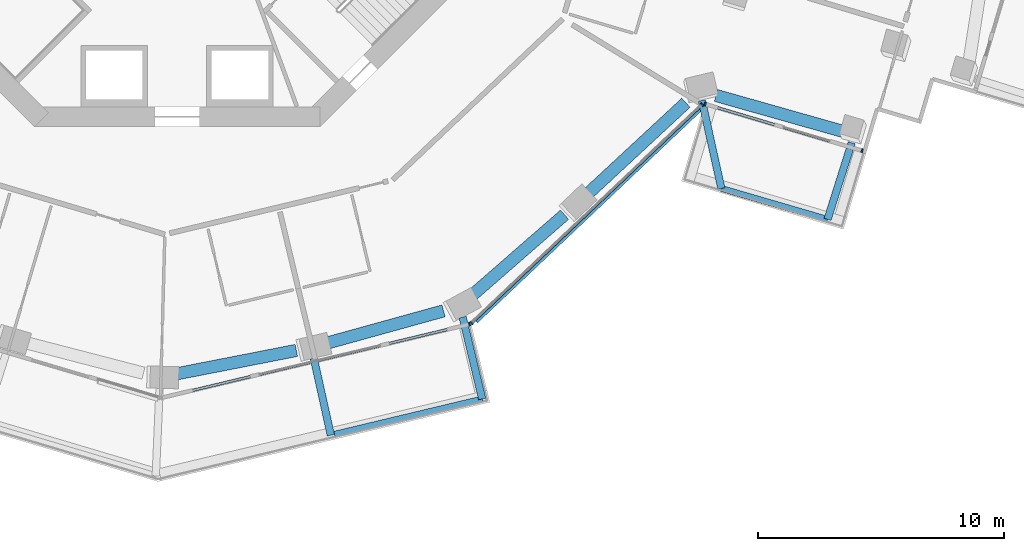
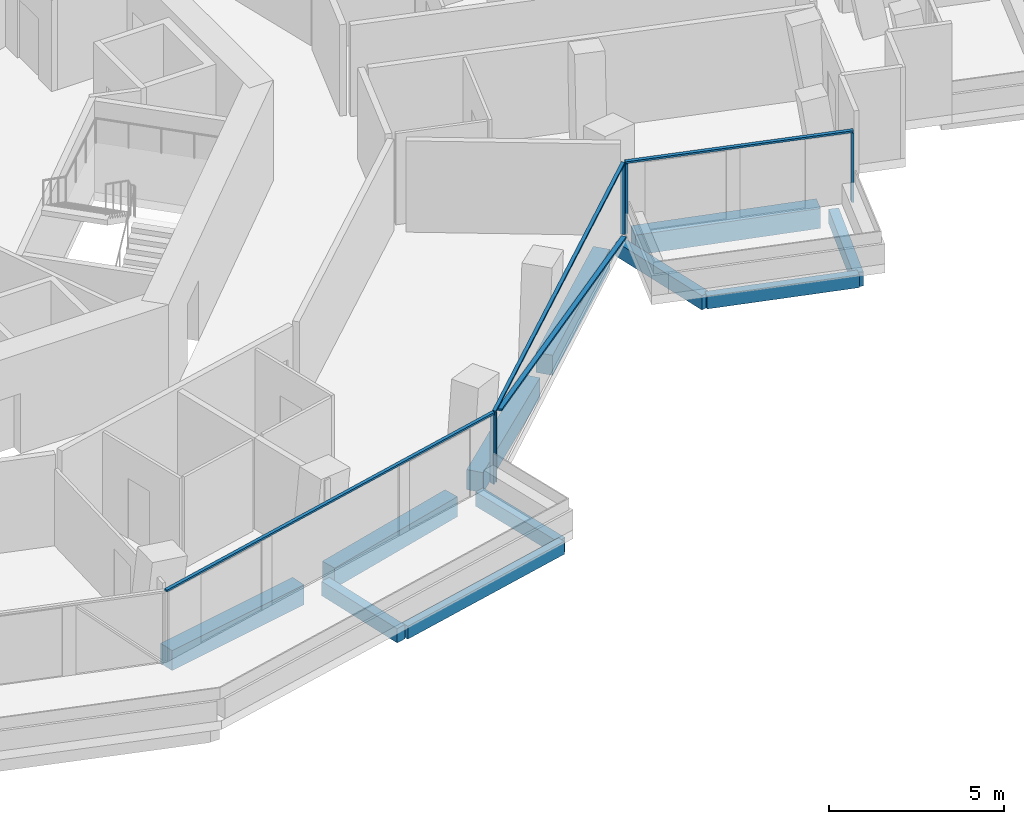
# One storey, part 5 of 27: 11 beams, 9 members, 3 elements without a shape of their own.
"""IFC4 building model written with IfcOpenShell, lengths in metres."""

import ifcopenshell
import ifcopenshell.guid

model = None  # the IFC model being written
_history = None  # IfcOwnerHistory: only IFC2X3 demands one
_inside = {}  # id of a spatial element -> (the spatial element, [elements in it])
_under = {}  # id of a project, library or spatial element -> (it, [spatial elements below it])
_declared = {}  # id of a project -> (the project, [libraries it declares])
_typed = {}  # id of a type object -> (the type object, [elements of that type])
_made_of = {}  # id of a material, layer set ... -> (it, [elements and type objects made of it])


def new_model(schema):
    """Start an empty IFC model of exactly this schema.

    Asked for "IFC4X3", IfcOpenShell would pick the latest addendum, in which some entities
    have other attributes; the version numbers below select the first issue.
    IFC2X3 requires an IfcOwnerHistory on every rooted entity: one is made here for all.
    """
    global model, _history
    if schema == "IFC4X3":
        model = ifcopenshell.file(schema_version=(4, 3, 0, 0))
    else:
        model = ifcopenshell.file(schema=schema)
    _inside.clear()
    _under.clear()
    _declared.clear()
    _typed.clear()
    _made_of.clear()
    _history = None
    if model.schema == "IFC2X3":
        org = make("IfcOrganization", Name="unknown")
        user = make(
            "IfcPersonAndOrganization",
            ThePerson=make("IfcPerson", FamilyName="unknown"),
            TheOrganization=org,
        )
        app = make(
            "IfcApplication",
            ApplicationDeveloper=org,
            Version="unknown",
            ApplicationFullName="unknown",
            ApplicationIdentifier="unknown",
        )
        _history = make(
            "IfcOwnerHistory",
            OwningUser=user,
            OwningApplication=app,
            ChangeAction="ADDED",
            CreationDate=0,
        )
    return model


def make(cls, **values):
    """One entity of the class cls with the attributes given. An attribute that is None is left unset."""
    return model.create_entity(
        cls, **{name: value for name, value in values.items() if value is not None}
    )


def rooted(cls, **values):
    """An entity with a GlobalId (a new one), such as an element, a storey or a relation."""
    return make(cls, GlobalId=ifcopenshell.guid.new(), OwnerHistory=_history, **values)


def si_unit(unit_type, name, prefix=None):
    """IfcSIUnit, for example si_unit("LENGTHUNIT", "METRE", prefix="MILLI")."""
    return make("IfcSIUnit", UnitType=unit_type, Prefix=prefix, Name=name)


def assignment(units):
    """IfcUnitAssignment: the units of a project."""
    return None if units is None else make("IfcUnitAssignment", Units=units)


def point(xyz):
    """IfcCartesianPoint."""
    return None if xyz is None else make("IfcCartesianPoint", Coordinates=xyz)


def direction(xyz):
    """IfcDirection."""
    return None if xyz is None else make("IfcDirection", DirectionRatios=xyz)


def frame(location, z_axis=None, x_axis=None):
    """IfcAxis2Placement3D, a coordinate frame: its origin and axes. An axis left out is left unset."""
    return make(
        "IfcAxis2Placement3D",
        Location=point(location),
        Axis=direction(z_axis),
        RefDirection=direction(x_axis),
    )


def frame_2d(location, x_axis=None):
    """IfcAxis2Placement2D, a coordinate frame in the plane: its origin and x axis."""
    return make(
        "IfcAxis2Placement2D", Location=point(location), RefDirection=direction(x_axis)
    )


def origin():
    """The frame at (0, 0, 0) with its axes left unset."""
    return frame((0.0, 0.0, 0.0))


def origin_2d():
    """The frame at (0, 0) in the plane with its x axis left unset."""
    return frame_2d((0.0, 0.0))


def place(relative_to, where):
    """IfcLocalPlacement: puts the frame where relative to a parent placement (None: the world)."""
    return make(
        "IfcLocalPlacement", PlacementRelTo=relative_to, RelativePlacement=where
    )


def context(
    kind, dimensions, precision=None, world=None, true_north=None, identifier=None
):
    """IfcGeometricRepresentationContext, for example the 3D "Model" context."""
    return make(
        "IfcGeometricRepresentationContext",
        ContextIdentifier=identifier,
        ContextType=kind,
        CoordinateSpaceDimension=dimensions,
        Precision=precision,
        WorldCoordinateSystem=world,
        TrueNorth=true_north,
    )


def subcontext(parent, identifier, kind, view, scale=None):
    """IfcGeometricRepresentationSubContext, for example "Body" below "Model"."""
    return make(
        "IfcGeometricRepresentationSubContext",
        ContextIdentifier=identifier,
        ContextType=kind,
        ParentContext=parent,
        TargetScale=scale,
        TargetView=view,
    )


def project(units=None, contexts=None):
    """IfcProject with its units and contexts."""
    return rooted(
        "IfcProject",
        Name="project",
        RepresentationContexts=contexts,
        UnitsInContext=assignment(units),
    )


def spatial(cls, under=None, at=None, **own):
    """A site, building, storey or space (cls), placed at a placement, below another one or the project."""
    s = rooted(cls, ObjectPlacement=at, **own)
    if under is not None:
        _under.setdefault(under.id(), (under, []))[1].append(s)
    return s


def profile(cls, at=None, kind="AREA", **sizes):
    """A parametric profile (cls). Its sizes go by their IFC names, for example OverallWidth=200.0."""
    return make(cls, ProfileType=kind, Position=at, **sizes)


def rectangle(**sizes):
    """IfcRectangleProfileDef."""
    return profile("IfcRectangleProfileDef", **sizes)


def extrude(swept, where, along, depth):
    """IfcExtrudedAreaSolid: the profile swept, set in the frame where, extruded along a direction by depth."""
    return make(
        "IfcExtrudedAreaSolid",
        SweptArea=swept,
        Position=where,
        ExtrudedDirection=direction(along),
        Depth=depth,
    )


def shape(context_of_items, identifier, shape_type, items):
    """IfcShapeRepresentation: the items that make up one representation, for example the "Body"."""
    return make(
        "IfcShapeRepresentation",
        ContextOfItems=context_of_items,
        RepresentationIdentifier=identifier,
        RepresentationType=shape_type,
        Items=items,
    )


def material(Name=None, Category=None):
    """IfcMaterial."""
    return make("IfcMaterial", Name=Name, Category=Category)


def layer(
    of_material, thickness, ventilated=None, Name=None, Category=None, Priority=None
):
    """IfcMaterialLayer: one layer of a wall or slab, of a material (None: an air gap)."""
    return make(
        "IfcMaterialLayer",
        Material=of_material,
        LayerThickness=thickness,
        IsVentilated=ventilated,
        Name=Name,
        Category=Category,
        Priority=Priority,
    )


def layer_set(layers, Name=None):
    """IfcMaterialLayerSet."""
    return make("IfcMaterialLayerSet", MaterialLayers=layers, LayerSetName=Name)


def material_profile(
    of_material, cross_section, Name=None, Category=None, Priority=None
):
    """IfcMaterialProfile: a cross section and its material."""
    return make(
        "IfcMaterialProfile",
        Name=Name,
        Material=of_material,
        Profile=cross_section,
        Priority=Priority,
        Category=Category,
    )


def profile_set(profiles, Name=None, composite=None):
    """IfcMaterialProfileSet."""
    return make(
        "IfcMaterialProfileSet",
        Name=Name,
        MaterialProfiles=profiles,
        CompositeProfile=composite,
    )


def made_of(thing, what):
    """Note that an element or type object is made of a material, layer set ...; save() writes the relation."""
    if what is not None:
        _made_of.setdefault(what.id(), (what, []))[1].append(thing)
    return thing


def type_object(cls, material=None, **own):
    """A type object (cls), such as IfcWallType, which elements share."""
    return made_of(rooted(cls, **own), material)


def element(
    cls,
    number,
    at=None,
    inside=None,
    cuts=None,
    type_object=None,
    material=None,
    context=None,
    identifier="Body",
    shape_type=None,
    held_by="IfcProductDefinitionShape",
    body=None,
    shapes=None,
    **own,
):
    """One element of the class cls, such as IfcWall. Its Tag is "e" and its number.

    at: its placement. inside: the storey or other place that contains it. cuts: it is an
    opening in that element (IfcRelVoidsElement). A single representation is given by context,
    identifier, shape_type and body (its items); several are given by shapes. held_by: the class
    of the entity that holds the representations. save() writes the other relations.
    """
    e = rooted(cls, Tag="e%d" % number, ObjectPlacement=at, **own)
    if body is not None:
        shapes = [shape(context, identifier, shape_type, body)]
    if shapes is not None:
        e.Representation = make(held_by, Representations=shapes)
    if inside is not None:
        _inside.setdefault(inside.id(), (inside, []))[1].append(e)
    if cuts is not None:
        rooted(
            "IfcRelVoidsElement", RelatingBuildingElement=cuts, RelatedOpeningElement=e
        )
    if type_object is not None:
        _typed.setdefault(type_object.id(), (type_object, []))[1].append(e)
    return made_of(e, material)


def aggregate(whole, parts):
    """IfcRelAggregates: a whole, such as a stair, and the parts it consists of."""
    return rooted("IfcRelAggregates", RelatingObject=whole, RelatedObjects=parts)


def save(model, path):
    """Write the relations noted so far, then the file.

    IfcRelAggregates (storeys below a building ...), IfcRelContainedInSpatialStructure (elements
    in a storey), IfcRelDefinesByType, IfcRelAssociatesMaterial and IfcRelDeclares: one each for
    every whole, place, type object, material and project.
    """
    for whole, parts in _under.values():
        aggregate(whole, parts)
    for where, things in _inside.values():
        rooted(
            "IfcRelContainedInSpatialStructure",
            RelatedElements=things,
            RelatingStructure=where,
        )
    for kind, things in _typed.values():
        rooted("IfcRelDefinesByType", RelatedObjects=things, RelatingType=kind)
    for what, things in _made_of.values():
        rooted("IfcRelAssociatesMaterial", RelatedObjects=things, RelatingMaterial=what)
    for by, libraries in _declared.values():
        rooted("IfcRelDeclares", RelatingContext=by, RelatedDefinitions=libraries)
    model.write(path)


model = new_model("IFC4")

# Units and contexts
model_context = context("Model", 3, precision=1e-05, world=origin(), true_north=direction((0.0, 1.0)))
body_context = subcontext(model_context, "Body", "Model", "MODEL_VIEW")
ifc_project = project(units=[si_unit("LENGTHUNIT", "METRE"), si_unit("AREAUNIT", "SQUARE_METRE"), si_unit("VOLUMEUNIT", "CUBIC_METRE"), si_unit("PLANEANGLEUNIT", "RADIAN"), si_unit("MASSUNIT", "GRAM", prefix="KILO")], contexts=[model_context])

# Site, building, storey
site_placement = place(None, origin())
site = spatial("IfcSite", under=ifc_project, at=site_placement, CompositionType="ELEMENT")
building_placement = place(site_placement, origin())
building = spatial("IfcBuilding", under=site, at=building_placement, Name="Verdalira Terraces Hotel", CompositionType="ELEMENT")
storey_placement = place(building_placement, frame((0.0, 0.0, 89.5)))
storey = spatial("IfcBuildingStorey", under=building, at=storey_placement, Name="L20", CompositionType="ELEMENT", Elevation=89.5)

# Beams
ifc_material_1 = material(Name="Concrete C40", Category="concrete")
ifc_material_profile_1 = material_profile(ifc_material_1, rectangle(XDim=0.300049, YDim=0.5, at=origin_2d()), Name="RC 300X500")
ifc_profile_set_1 = profile_set([ifc_material_profile_1], Name="Concrete C40")
beam_type_1 = type_object("IfcBeamType", Name="Balcony cantilever beam RC 300X500 C40", PredefinedType="BEAM", material=ifc_profile_set_1)
beam_1_placement = place(storey_placement, frame((5.550293, -23.408936, -0.560059), z_axis=(0.216082396, -0.976375132, 0.0), x_axis=(0.976375132, 0.216082396, 0.0)))
element("IfcBeam", 1, at=beam_1_placement, inside=storey, type_object=beam_type_1, Name="Balcony cantilever beam R25-1", PredefinedType="BEAM", context=body_context, shape_type="SweptSolid", body=[
    extrude(rectangle(XDim=0.300049, YDim=0.5, at=origin_2d()), origin(), (0.0, 0.0, 1.0), 3.200928),
])
beam_2_placement = place(storey_placement, frame((11.597656, -21.740967, -0.560059), z_axis=(0.232402795, -0.972619628, 0.0), x_axis=(0.972619628, 0.232402795, 0.0)))
element("IfcBeam", 2, at=beam_2_placement, inside=storey, type_object=beam_type_1, Name="Balcony cantilever beam R25-2", PredefinedType="BEAM", context=body_context, shape_type="SweptSolid", body=[
    extrude(rectangle(XDim=0.300049, YDim=0.5, at=origin_2d()), origin(), (0.0, 0.0, 1.0), 3.417236),
])
beam_3_placement = place(storey_placement, frame((21.316895, -12.941406, -0.560059), z_axis=(0.216096037, -0.976372113, 0.0), x_axis=(0.976372113, 0.216096037, 0.0)))
element("IfcBeam", 3, at=beam_3_placement, inside=storey, type_object=beam_type_1, Name="Balcony cantilever beam R28-1", PredefinedType="BEAM", context=body_context, shape_type="SweptSolid", body=[
    extrude(rectangle(XDim=0.300049, YDim=0.5, at=origin_2d()), origin(), (0.0, 0.0, 1.0), 3.656006),
])
beam_4_placement = place(storey_placement, frame((27.403809, -14.654297, -0.560059), z_axis=(-0.301066947, -0.953603006, 0.0), x_axis=(0.953603006, -0.301066947, 0.0)))
element("IfcBeam", 4, at=beam_4_placement, inside=storey, type_object=beam_type_1, Name="Balcony cantilever beam R28-2", PredefinedType="BEAM", context=body_context, shape_type="SweptSolid", body=[
    extrude(rectangle(XDim=0.300049, YDim=0.5, at=origin_2d()), origin(), (0.0, 0.0, 1.0), 3.264648),
])
ifc_material_2 = material(Name="Concrete C40", Category="concrete")
ifc_material_profile_2 = material_profile(ifc_material_2, rectangle(XDim=0.25, YDim=0.449951, at=origin_2d()), Name="RC 250X450")
ifc_profile_set_2 = profile_set([ifc_material_profile_2], Name="Concrete C40")
beam_type_2 = type_object("IfcBeamType", Name="Balcony edge beam RC 250X450 C40", PredefinedType="BEAM", material=ifc_profile_set_2)
beam_5_placement = place(storey_placement, frame((6.387939, -26.499268, -0.534912), z_axis=(0.972620884, 0.23239754, 0.0), x_axis=(-0.23239754, 0.972620884, 0.0)))
element("IfcBeam", 5, at=beam_5_placement, inside=storey, type_object=beam_type_2, Name="Balcony edge beam R25-1", PredefinedType="BEAM", context=body_context, shape_type="SweptSolid", body=[
    extrude(rectangle(XDim=0.25, YDim=0.449951, at=origin_2d()), origin(), (0.0, 0.0, 1.0), 6.172852),
])
beam_6_placement = place(storey_placement, frame((22.106934, -16.510986, -0.534912), z_axis=(0.960098526, -0.279661976, 0.0), x_axis=(0.279661976, 0.960098526, 0.0)))
element("IfcBeam", 6, at=beam_6_placement, inside=storey, type_object=beam_type_2, Name="Balcony edge beam R28-1", PredefinedType="BEAM", context=body_context, shape_type="SweptSolid", body=[
    extrude(rectangle(XDim=0.25, YDim=0.449951, at=origin_2d()), origin(), (0.0, 0.0, 1.0), 4.493164),
])

# Curtain wall, member
ifc_material_3 = material(Name="Clear glass", Category="glass")
ifc_layer_1 = layer(ifc_material_3, 0.14990234375)
ifc_layer_set_1 = layer_set([ifc_layer_1], Name="CW1 curtain wall")
curtain_wall_type_1 = type_object("IfcCurtainWallType", Name="CW1 curtain wall", PredefinedType="NOTDEFINED", material=ifc_layer_set_1)
curtain_wall_1_placement = place(storey_placement, origin())
curtain_wall_1 = element("IfcCurtainWall", 7, at=curtain_wall_1_placement, inside=storey, type_object=curtain_wall_type_1, Name="CW1 curtain wall L20 edge 26", PredefinedType="NOTDEFINED")
ifc_material_4 = material(Name="Terracotta frame", Category="masonry")
ifc_material_profile_3 = material_profile(ifc_material_4, rectangle(XDim=0.060059, YDim=0.149902, at=origin_2d()), Name="MU 60x150")
ifc_profile_set_3 = profile_set([ifc_material_profile_3], Name="Terracotta frame")
member_type_1 = type_object("IfcMemberType", Name="CW1 mullion 60x150", PredefinedType="MULLION", material=ifc_profile_set_3)
member_1_placement = place(storey_placement, frame((11.874512, -22.026611, 0.0), z_axis=(0.0, 0.0, 1.0), x_axis=(0.972613851, 0.232426973, 0.0)))
member_1 = element("IfcMember", 8, at=member_1_placement, type_object=member_type_1, Name="CW1 mullion", PredefinedType="MULLION", context=body_context, shape_type="SweptSolid", body=[
    extrude(rectangle(XDim=0.060059, YDim=0.149902, at=origin_2d()), origin(), (0.0, 0.0, 1.0), 2.425049),
])

# Curtain wall, members
curtain_wall_2_placement = place(storey_placement, origin())
curtain_wall_2 = element("IfcCurtainWall", 9, at=curtain_wall_2_placement, inside=storey, type_object=curtain_wall_type_1, Name="CW1 curtain wall L20 edge 27", PredefinedType="NOTDEFINED")
member_2_placement = place(storey_placement, frame((11.959717, -21.980469, 0.0), z_axis=(0.0, 0.0, 1.0), x_axis=(0.726094816, 0.687594588, 0.0)))
member_2 = element("IfcMember", 10, at=member_2_placement, type_object=member_type_1, Name="CW1 mullion", PredefinedType="MULLION", context=body_context, shape_type="SweptSolid", body=[
    extrude(rectangle(XDim=0.060059, YDim=0.149902, at=origin_2d()), origin(), (0.0, 0.0, 1.0), 2.425049),
])
member_3_placement = place(storey_placement, frame((21.326172, -13.110596, 0.0), z_axis=(0.0, 0.0, 1.0), x_axis=(0.726094816, 0.687594588, 0.0)))
member_3 = element("IfcMember", 11, at=member_3_placement, type_object=member_type_1, Name="CW1 mullion", PredefinedType="MULLION", context=body_context, shape_type="SweptSolid", body=[
    extrude(rectangle(XDim=0.060059, YDim=0.149902, at=origin_2d()), origin(), (0.0, 0.0, 1.0), 2.425049),
])

# Member
ifc_material_5 = material(Name="Terracotta frame", Category="masonry")
ifc_material_profile_4 = material_profile(ifc_material_5, rectangle(XDim=0.110107, YDim=0.064941, at=origin_2d()), Name="TR 65x110")
ifc_profile_set_4 = profile_set([ifc_material_profile_4], Name="Terracotta frame")
member_type_2 = type_object("IfcMemberType", Name="CW1 transom 65x110", PredefinedType="USERDEFINED", material=ifc_profile_set_4)
member_4_placement = place(storey_placement, frame((-0.662109, -25.022461, 2.45752), z_axis=(0.972613262, 0.232429437, 0.0), x_axis=(-0.232429437, 0.972613262, 0.0)))
member_4 = element("IfcMember", 12, at=member_4_placement, type_object=member_type_2, Name="CW1 transom", ObjectType="TRANSOM", PredefinedType="USERDEFINED", context=body_context, shape_type="SweptSolid", body=[
    extrude(rectangle(XDim=0.110107, YDim=0.064941, at=origin_2d()), origin(), (0.0, 0.0, 1.0), 12.919678),
])

aggregate(curtain_wall_1, [member_1, member_4])

member_5_placement = place(storey_placement, frame((11.937988, -22.001221, 2.45752), z_axis=(0.726088306, 0.687601463, 0.0), x_axis=(-0.687601463, 0.726088306, 0.0)))
member_5 = element("IfcMember", 13, at=member_5_placement, type_object=member_type_2, Name="CW1 transom", ObjectType="TRANSOM", PredefinedType="USERDEFINED", context=body_context, shape_type="SweptSolid", body=[
    extrude(rectangle(XDim=0.110107, YDim=0.064941, at=origin_2d()), origin(), (0.0, 0.0, 1.0), 12.959717),
])

# Curtain wall, members
ifc_material_6 = material(Name="Clear glass", Category="glass")
ifc_layer_2 = layer(ifc_material_6, 0.14990234375)
ifc_layer_set_2 = layer_set([ifc_layer_2], Name="CW2 curtain wall")
curtain_wall_type_2 = type_object("IfcCurtainWallType", Name="CW2 curtain wall", PredefinedType="NOTDEFINED", material=ifc_layer_set_2)
curtain_wall_3_placement = place(storey_placement, origin())
curtain_wall_3 = element("IfcCurtainWall", 14, at=curtain_wall_3_placement, inside=storey, type_object=curtain_wall_type_2, Name="CW2 curtain wall L20 edge 28", PredefinedType="NOTDEFINED")
ifc_material_7 = material(Name="Terracotta frame", Category="masonry")
ifc_material_profile_5 = material_profile(ifc_material_7, rectangle(XDim=0.070068, YDim=0.149902, at=origin_2d()), Name="MU 70x150")
ifc_profile_set_5 = profile_set([ifc_material_profile_5], Name="Terracotta frame")
member_type_3 = type_object("IfcMemberType", Name="CW2 mullion 70x150", PredefinedType="MULLION", material=ifc_profile_set_5)
member_6_placement = place(storey_placement, frame((21.454346, -13.08252, 0.0), z_axis=(0.0, 0.0, 1.0), x_axis=(0.958521789, -0.285019262, 0.0)))
member_6 = element("IfcMember", 15, at=member_6_placement, type_object=member_type_3, Name="CW2 mullion", PredefinedType="MULLION", context=body_context, shape_type="SweptSolid", body=[
    extrude(rectangle(XDim=0.070068, YDim=0.149902, at=origin_2d()), origin(), (0.0, 0.0, 1.0), 2.425049),
])
member_7_placement = place(storey_placement, frame((27.82373, -14.976562, 0.0), z_axis=(0.0, 0.0, 1.0), x_axis=(0.958521789, -0.285019262, 0.0)))
member_7 = element("IfcMember", 16, at=member_7_placement, type_object=member_type_3, Name="CW2 mullion", PredefinedType="MULLION", context=body_context, shape_type="SweptSolid", body=[
    extrude(rectangle(XDim=0.070068, YDim=0.149902, at=origin_2d()), origin(), (0.0, 0.0, 1.0), 2.425049),
])
ifc_material_8 = material(Name="Terracotta frame", Category="masonry")
ifc_material_profile_6 = material_profile(ifc_material_8, rectangle(XDim=0.11499, YDim=0.064941, at=origin_2d()), Name="TR 65x115")
ifc_profile_set_6 = profile_set([ifc_material_profile_6], Name="Terracotta frame")
member_type_4 = type_object("IfcMemberType", Name="CW2 transom 65x115", PredefinedType="USERDEFINED", material=ifc_profile_set_6)
member_8_placement = place(storey_placement, frame((21.420898, -13.07251, 2.45752), z_axis=(0.958522934, -0.285015411, 0.0), x_axis=(0.285015411, 0.958522934, 0.0)))
member_8 = element("IfcMember", 17, at=member_8_placement, type_object=member_type_4, Name="CW2 transom", ObjectType="TRANSOM", PredefinedType="USERDEFINED", context=body_context, shape_type="SweptSolid", body=[
    extrude(rectangle(XDim=0.11499, YDim=0.064941, at=origin_2d()), origin(), (0.0, 0.0, 1.0), 6.714844),
])
aggregate(curtain_wall_3, [member_6, member_7, member_8])

# Member
ifc_material_9 = material(Name="Terracotta frame", Category="masonry")
ifc_material_profile_7 = material_profile(ifc_material_9, rectangle(XDim=0.149902, YDim=0.060059, at=origin_2d()), Name="GB 60x150")
ifc_profile_set_7 = profile_set([ifc_material_profile_7], Name="Terracotta frame")
member_type_5 = type_object("IfcMemberType", Name="Diagonal glazing bar 60x150", PredefinedType="USERDEFINED", material=ifc_profile_set_7)
member_9_placement = place(storey_placement, frame((12.157471, -21.915771, 2.395264), z_axis=(0.71347978, 0.675646924, -0.185601288), x_axis=(-0.687593771, 0.726095591, 0.0)))
member_9 = element("IfcMember", 18, at=member_9_placement, type_object=member_type_5, Name="Diagonal glazing bar", ObjectType="GLAZING BAR", PredefinedType="USERDEFINED", context=body_context, shape_type="SweptSolid", body=[
    extrude(rectangle(XDim=0.149902, YDim=0.060059, at=origin_2d()), origin(), (0.0, 0.0, 1.0), 12.744873),
])

aggregate(curtain_wall_2, [member_2, member_3, member_5, member_9])

# Beams
ifc_material_10 = material(Name="Concrete C70", Category="concrete")
ifc_material_profile_8 = material_profile(ifc_material_10, rectangle(XDim=0.5, YDim=0.699951, at=origin_2d()), Name="RC 500X700")
ifc_profile_set_8 = profile_set([ifc_material_profile_8], Name="Concrete C70")
beam_type_3 = type_object("IfcBeamType", Name="Spandrel beam RC 500X700 C70", PredefinedType="SPANDREL", material=ifc_profile_set_8)
beam_7_placement = place(storey_placement, frame((-0.082764, -24.053467, -0.659912), z_axis=(0.981417771, 0.191883189, 0.0), x_axis=(-0.191883189, 0.981417771, 0.0)))
element("IfcBeam", 19, at=beam_7_placement, inside=storey, type_object=beam_type_3, Name="Spandrel beam B17", PredefinedType="SPANDREL", context=body_context, shape_type="SweptSolid", body=[
    extrude(rectangle(XDim=0.5, YDim=0.699951, at=origin_2d()), origin(), (0.0, 0.0, 1.0), 5.015625),
])
beam_8_placement = place(storey_placement, frame((5.990479, -22.819336, -0.659912), z_axis=(0.963839606, 0.266483045, 0.0), x_axis=(-0.266483045, 0.963839606, 0.0)))
element("IfcBeam", 20, at=beam_8_placement, inside=storey, type_object=beam_type_3, Name="Spandrel beam B18", PredefinedType="SPANDREL", context=body_context, shape_type="SweptSolid", body=[
    extrude(rectangle(XDim=0.5, YDim=0.699951, at=origin_2d()), origin(), (0.0, 0.0, 1.0), 5.012207),
])
beam_9_placement = place(storey_placement, frame((11.955078, -20.872314, -0.659912), z_axis=(0.753971153, 0.656907528, 0.0), x_axis=(-0.656907528, 0.753971153, 0.0)))
element("IfcBeam", 21, at=beam_9_placement, inside=storey, type_object=beam_type_3, Name="Spandrel beam B19", PredefinedType="SPANDREL", context=body_context, shape_type="SweptSolid", body=[
    extrude(rectangle(XDim=0.5, YDim=0.699951, at=origin_2d()), origin(), (0.0, 0.0, 1.0), 5.015381),
])
beam_10_placement = place(storey_placement, frame((16.602051, -16.799805, -0.659912), z_axis=(0.733241815, 0.679967971, 0.0), x_axis=(-0.679967971, 0.733241815, 0.0)))
element("IfcBeam", 22, at=beam_10_placement, inside=storey, type_object=beam_type_3, Name="Spandrel beam B20", PredefinedType="SPANDREL", context=body_context, shape_type="SweptSolid", body=[
    extrude(rectangle(XDim=0.5, YDim=0.699951, at=origin_2d()), origin(), (0.0, 0.0, 1.0), 5.545166),
])
beam_11_placement = place(storey_placement, frame((21.890869, -12.733398, -0.659912), z_axis=(0.962229876, -0.272238253, 0.0), x_axis=(0.272238253, 0.962229876, 0.0)))
element("IfcBeam", 23, at=beam_11_placement, inside=storey, type_object=beam_type_3, Name="Spandrel beam B21", PredefinedType="SPANDREL", context=body_context, shape_type="SweptSolid", body=[
    extrude(rectangle(XDim=0.5, YDim=0.699951, at=origin_2d()), origin(), (0.0, 0.0, 1.0), 5.469482),
])

save(model, "model.ifc")
